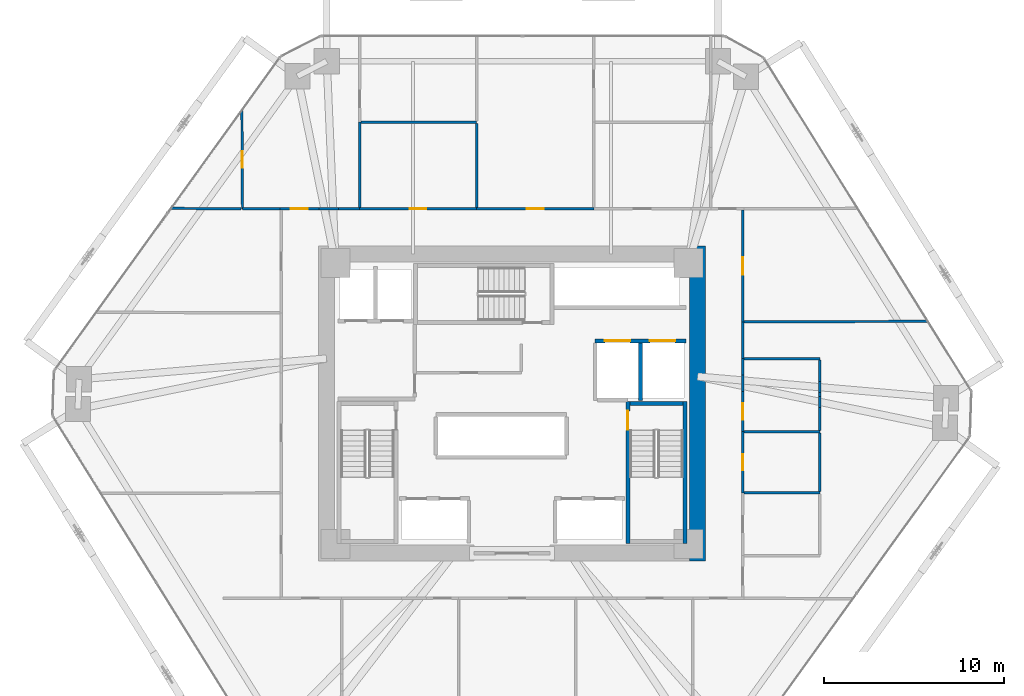
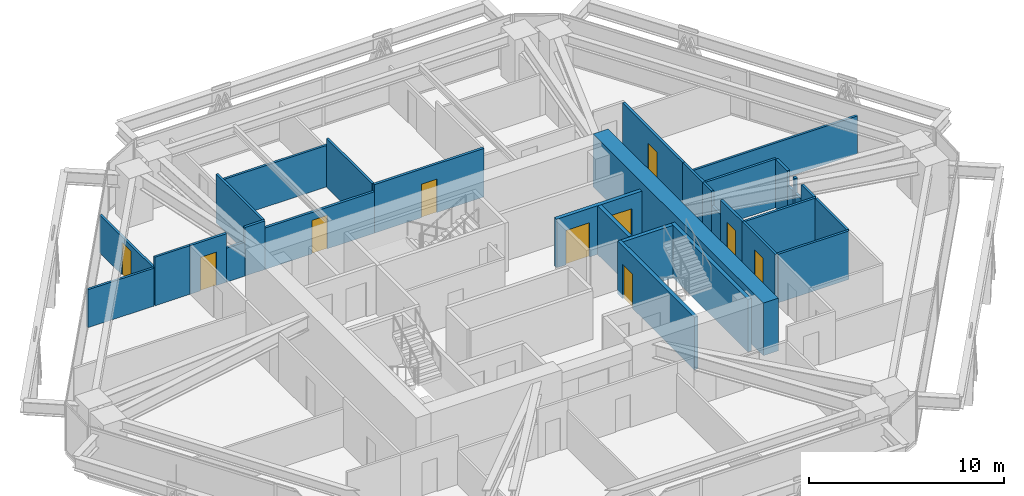
# One storey, part 15 of 17: 33 walls, 10 doors, 10 openings.
"""IFC4 building model written with IfcOpenShell, lengths in metres."""

from ifc_helpers import new_model, si_unit, direction, frame, frame_2d, origin, place, context, subcontext, project, spatial, rectangle, extrude, source, transform, mapped, material, layer, layer_set, type_object, type_shapes, element, fill, save


model = new_model("IFC4")

# Units and contexts
model_context = context("Model", 3, precision=1e-05, world=origin(), true_north=direction((0.0, 1.0)))
body_context = subcontext(model_context, "Body", "Model", "MODEL_VIEW")
ifc_project = project(units=[si_unit("LENGTHUNIT", "METRE"), si_unit("AREAUNIT", "SQUARE_METRE"), si_unit("VOLUMEUNIT", "CUBIC_METRE"), si_unit("PLANEANGLEUNIT", "RADIAN"), si_unit("MASSUNIT", "GRAM", prefix="KILO")], contexts=[model_context])

# Site, building, storey
site_placement = place(None, origin())
site = spatial("IfcSite", under=ifc_project, at=site_placement, CompositionType="ELEMENT")
building_placement = place(site_placement, origin())
building = spatial("IfcBuilding", under=site, at=building_placement, Name="Durnholm Broadcast Tower", CompositionType="ELEMENT")
storey_placement = place(building_placement, frame((0.0, 0.0, 45.60009765625)))
storey = spatial("IfcBuildingStorey", under=building, at=storey_placement, Name="L10", CompositionType="ELEMENT", Elevation=45.60009765625)

# Wall
ifc_material_1 = material(Name="Concrete C70/85", Category="concrete")
ifc_layer_1 = layer(ifc_material_1, 0.89990234375)
ifc_layer_set_1 = layer_set([ifc_layer_1], Name="Concrete C70/85")
wall_type_1 = type_object("IfcWallType", Name="WALL-CW-900", PredefinedType="SHEAR", material=ifc_layer_set_1)
wall_1_placement = place(storey_placement, frame((10.300048828125, -8.75, 0.0), z_axis=(0.0, 0.0, 1.0), x_axis=(0.0, 1.0, 0.0)))
element("IfcWall", 1, at=wall_1_placement, inside=storey, type_object=wall_type_1, Name="L10 central core shear wall CW-EAST", PredefinedType="SHEAR", context=body_context, shape_type="SweptSolid", body=[
    extrude(rectangle(XDim=17.5, YDim=0.89990234375, at=frame_2d((8.75, 0.0))), origin(), (0.0, 0.0, 1.0), 3.2998046875),
])

# Wall, opening, door
ifc_material_2 = material(Name="Gypsum Metal Stud Partition", Category="concrete")
ifc_layer_2 = layer(ifc_material_2, 0.135009765625)
ifc_layer_set_2 = layer_set([ifc_layer_2], Name="Gypsum Metal Stud Partition")
wall_type_2 = type_object("IfcWallType", Name="WALL-PART-135", PredefinedType="PARTITIONING", material=ifc_layer_set_2)
wall_2_placement = place(storey_placement, frame((-14.992431640625, 16.283447265625, 0.0), z_axis=(0.0, 0.0, 1.0), x_axis=(0.005932363604, -0.999982403376, 0.0)))
wall_2 = element("IfcWall", 2, at=wall_2_placement, inside=storey, type_object=wall_type_2, Name="L10 room dividing partition 5.6", PredefinedType="PARTITIONING", context=body_context, shape_type="SweptSolid", body=[
    extrude(rectangle(XDim=5.473388671875, YDim=0.135009765625, at=frame_2d((2.73681640625, 0.0))), origin(), (0.0, 0.0, 1.0), 2.3798828125),
])
opening_1_placement = place(wall_2_placement, frame((2.286865234375, 0.0, 0.0)))
opening_1 = element("IfcOpeningElement", 3, at=opening_1_placement, cuts=wall_2, Name="Opening DW-90L", PredefinedType="OPENING", context=body_context, shape_type="SweptSolid", body=[
    extrude(rectangle(XDim=0.89990234375, YDim=2.050048828125, at=frame_2d((0.449951171875, 1.02490234375))), frame((0.0, 0.07763671875, 0.0), z_axis=(0.0, -1.0, 0.0), x_axis=(1.0, 0.0, 0.0)), (0.0, 0.0, 1.0), 0.155029296875),
])
ifc_material_3 = material(Name="Laminate Restroom Door", Category="steel")
ifc_layer_3 = layer(ifc_material_3, 0.050048828125)
ifc_layer_set_3 = layer_set([ifc_layer_3], Name="Laminate Restroom Door")
door_type_1 = type_object("IfcDoorType", Name="DOOR-WC-900L", OperationType="NOTDEFINED", PredefinedType="DOOR", material=ifc_layer_set_3)
shared_shape_1 = source(origin(), body_context, "Body", "SweptSolid", [
    extrude(rectangle(XDim=0.89990234375, YDim=2.050048828125, at=frame_2d((0.449951171875, 1.02490234375))), frame((0.0, 0.02490234375, 0.0), z_axis=(0.0, -1.0, 0.0), x_axis=(1.0, 0.0, 0.0)), (0.0, 0.0, 1.0), 0.050048828125),
])
type_shapes(door_type_1, [shared_shape_1])
door_1_placement = place(opening_1_placement, origin())
door_1 = element("IfcDoor", 4, at=door_1_placement, inside=storey, type_object=door_type_1, Name="L10 Video Edit Office 1 connecting door", OperationType="SINGLE_SWING_LEFT", OverallHeight=2.050048828125, OverallWidth=0.89990234375, PredefinedType="DOOR", context=body_context, shape_type="MappedRepresentation", body=[
    mapped(shared_shape_1, transform((0.0, 0.0, 0.0), x_axis=(1.0, 0.0, 0.0), y_axis=(0.0, 1.0, 0.0), z_axis=(0.0, 0.0, 1.0), scale=1.0)),
])
fill(opening_1, door_1)

# Walls
wall_3_placement = place(storey_placement, frame((-15.031494140625, 10.810302734375, 0.0), z_axis=(0.0, 0.0, 1.0), x_axis=(-0.999982229424, 0.005961613542, 0.0)))
element("IfcWall", 5, at=wall_3_placement, inside=storey, type_object=wall_type_2, Name="L10 room dividing partition 5.20", PredefinedType="PARTITIONING", context=body_context, shape_type="SweptSolid", body=[
    extrude(rectangle(XDim=3.890380859375, YDim=0.135009765625, at=frame_2d((1.9453125, 0.0))), origin(), (0.0, 0.0, 1.0), 2.3798828125),
])
wall_4_placement = place(storey_placement, frame((-8.4599609375, 15.625, 0.0), z_axis=(0.0, 0.0, 1.0), x_axis=(0.0, -1.0, 0.0)))
element("IfcWall", 6, at=wall_4_placement, inside=storey, type_object=wall_type_2, Name="L10 room dividing partition 6.7", PredefinedType="PARTITIONING", context=body_context, shape_type="SweptSolid", body=[
    extrude(rectangle(XDim=4.736083984375, YDim=0.135009765625, at=frame_2d((2.3681640625, 0.0))), origin(), (0.0, 0.0, 1.0), 3.044921875),
])
wall_5_placement = place(storey_placement, frame((-12.889892578125, 10.81005859375, 0.0), z_axis=(0.0, 0.0, 1.0), x_axis=(-1.0, 0.0, 0.0)))
element("IfcWall", 7, at=wall_5_placement, inside=storey, type_object=wall_type_2, Name="L10 room dividing partition 6.20", PredefinedType="PARTITIONING", context=body_context, shape_type="SweptSolid", body=[
    extrude(rectangle(XDim=2.070068359375, YDim=0.135009765625, at=frame_2d((1.03515625, 0.0))), origin(), (0.0, 0.0, 1.0), 3.044921875),
])
wall_6_placement = place(storey_placement, frame((-8.388427734375, 15.625, 0.0), z_axis=(0.0, 0.0, 1.0), x_axis=(1.0, 0.0, 0.0)))
element("IfcWall", 8, at=wall_6_placement, inside=storey, type_object=wall_type_2, Name="L10 room dividing partition 7.8", PredefinedType="PARTITIONING", context=body_context, shape_type="SweptSolid", body=[
    extrude(rectangle(XDim=6.428466796875, YDim=0.135009765625, at=frame_2d((3.21435546875, 0.0))), origin(), (0.0, 0.0, 1.0), 2.59765625),
])
wall_7_placement = place(storey_placement, frame((-1.9599609375, 15.553466796875, 0.0), z_axis=(0.0, 0.0, 1.0), x_axis=(0.0, -1.0, 0.0)))
element("IfcWall", 9, at=wall_7_placement, inside=storey, type_object=wall_type_2, Name="L10 room dividing partition 7.9", PredefinedType="PARTITIONING", context=body_context, shape_type="SweptSolid", body=[
    extrude(rectangle(XDim=4.66455078125, YDim=0.135009765625, at=frame_2d((2.332275390625, 0.0))), origin(), (0.0, 0.0, 1.0), 3.044921875),
])
wall_8_placement = place(storey_placement, frame((12.888916015625, 4.540283203125, 0.0), z_axis=(0.0, 0.0, 1.0), x_axis=(0.99999792939, 0.002034997821, 0.0)))
element("IfcWall", 10, at=wall_8_placement, inside=storey, type_object=wall_type_2, Name="L10 room dividing partition 21.22", PredefinedType="PARTITIONING", context=body_context, shape_type="SweptSolid", body=[
    extrude(rectangle(XDim=10.197509765625, YDim=0.135009765625, at=frame_2d((5.0986328125, 0.0))), origin(), (0.0, 0.0, 1.0), 2.3798828125),
])
ifc_material_4 = material(Name="Acoustic Gypsum Stud Partition", Category="concrete")
ifc_layer_4 = layer(ifc_material_4, 0.14990234375)
ifc_layer_set_4 = layer_set([ifc_layer_4], Name="Acoustic Gypsum Stud Partition")
wall_type_3 = type_object("IfcWallType", Name="WALL-PART-150", PredefinedType="PARTITIONING", material=ifc_layer_set_4)
wall_9_placement = place(storey_placement, frame((-8.4599609375, 10.81005859375, 0.0), z_axis=(0.0, 0.0, 1.0), x_axis=(-1.0, 0.0, 0.0)))
element("IfcWall", 11, at=wall_9_placement, inside=storey, type_object=wall_type_3, Name="L10 Video Edit Office 2 corridor partition", PredefinedType="PARTITIONING", context=body_context, shape_type="SweptSolid", body=[
    extrude(rectangle(XDim=1.16748046875, YDim=0.14990234375, at=frame_2d((0.583740234375, 0.0))), origin(), (0.0, 0.0, 1.0), 3.044921875),
])

# Wall, opening, door
wall_10_placement = place(storey_placement, frame((-10.719970703125, 10.81005859375, 0.0), z_axis=(0.0, 0.0, 1.0), x_axis=(-1.0, 0.0, 0.0)))
wall_10 = element("IfcWall", 12, at=wall_10_placement, inside=storey, type_object=wall_type_3, Name="L10 Video Edit Office 2 corridor partition", PredefinedType="PARTITIONING", context=body_context, shape_type="SweptSolid", body=[
    extrude(rectangle(XDim=2.169921875, YDim=0.14990234375, at=frame_2d((1.0849609375, 0.0))), origin(), (0.0, 0.0, 1.0), 3.044921875),
])
opening_2_placement = place(wall_10_placement, frame((0.610107421875, 0.0, 0.0)))
opening_2 = element("IfcOpeningElement", 13, at=opening_2_placement, cuts=wall_10, Name="Opening DR-95R", PredefinedType="OPENING", context=body_context, shape_type="SweptSolid", body=[
    extrude(rectangle(XDim=0.949951171875, YDim=2.10009765625, at=frame_2d((0.47509765625, 1.050048828125))), frame((0.0, 0.0849609375, 0.0), z_axis=(0.0, -1.0, 0.0), x_axis=(1.0, 0.0, 0.0)), (0.0, 0.0, 1.0), 0.169921875),
])
ifc_material_5 = material(Name="Acoustic Oak Veneer Timber Door", Category="wood")
ifc_layer_5 = layer(ifc_material_5, 0.050048828125)
ifc_layer_set_5 = layer_set([ifc_layer_5], Name="Acoustic Oak Veneer Timber Door")
door_type_2 = type_object("IfcDoorType", Name="DOOR-RM-950R", OperationType="NOTDEFINED", PredefinedType="DOOR", material=ifc_layer_set_5)
shared_shape_2 = source(origin(), body_context, "Body", "SweptSolid", [
    extrude(rectangle(XDim=0.949951171875, YDim=2.10009765625, at=frame_2d((0.47509765625, 1.050048828125))), frame((0.0, 0.02490234375, 0.0), z_axis=(0.0, -1.0, 0.0), x_axis=(1.0, 0.0, 0.0)), (0.0, 0.0, 1.0), 0.050048828125),
])
type_shapes(door_type_2, [shared_shape_2])
door_2_placement = place(opening_2_placement, origin())
door_2 = element("IfcDoor", 14, at=door_2_placement, inside=storey, type_object=door_type_2, Name="L10 Video Edit Office 2 entrance door", OperationType="SINGLE_SWING_RIGHT", OverallHeight=2.10009765625, OverallWidth=0.949951171875, PredefinedType="DOOR", context=body_context, shape_type="MappedRepresentation", body=[
    mapped(shared_shape_2, transform((0.0, 0.0, 0.0), x_axis=(1.0, 0.0, 0.0), y_axis=(0.0, 1.0, 0.0), z_axis=(0.0, 0.0, 1.0), scale=1.0)),
])
fill(opening_2, door_2)

# Wall
wall_11_placement = place(storey_placement, frame((-9.62744140625, 10.81005859375, 0.0), z_axis=(0.0, 0.0, 1.0), x_axis=(-1.0, 0.0, 0.0)))
element("IfcWall", 15, at=wall_11_placement, inside=storey, type_object=wall_type_3, Name="L10 Video Edit Office 2 corridor partition", PredefinedType="PARTITIONING", context=body_context, shape_type="SweptSolid", body=[
    extrude(rectangle(XDim=1.092529296875, YDim=0.14990234375, at=frame_2d((0.54638671875, 0.0))), origin(), (0.0, 0.0, 1.0), 2.1298828125),
])

# Wall, opening, door
wall_12_placement = place(storey_placement, frame((-1.9599609375, 10.81005859375, 0.0), z_axis=(0.0, 0.0, 1.0), x_axis=(-1.0, 0.0, 0.0)))
wall_12 = element("IfcWall", 16, at=wall_12_placement, inside=storey, type_object=wall_type_3, Name="L10 Color Timing Office corridor partition", PredefinedType="PARTITIONING", context=body_context, shape_type="SweptSolid", body=[
    extrude(rectangle(XDim=6.5, YDim=0.14990234375, at=frame_2d((3.25, 0.0))), origin(), (0.0, 0.0, 1.0), 2.59765625),
])
opening_3_placement = place(wall_12_placement, frame((2.7900390625, 0.0, 0.0)))
opening_3 = element("IfcOpeningElement", 17, at=opening_3_placement, cuts=wall_12, Name="Opening DR-92L", PredefinedType="OPENING", context=body_context, shape_type="SweptSolid", body=[
    extrude(rectangle(XDim=0.919921875, YDim=2.10009765625, at=frame_2d((0.4599609375, 1.050048828125))), frame((0.0, 0.0849609375, 0.0), z_axis=(0.0, -1.0, 0.0), x_axis=(1.0, 0.0, 0.0)), (0.0, 0.0, 1.0), 0.169921875),
])
ifc_material_6 = material(Name="Oak Veneer Office Door", Category="wood")
ifc_layer_6 = layer(ifc_material_6, 0.050048828125)
ifc_layer_set_6 = layer_set([ifc_layer_6], Name="Oak Veneer Office Door")
door_type_3 = type_object("IfcDoorType", Name="DOOR-RM-920L", OperationType="NOTDEFINED", PredefinedType="DOOR", material=ifc_layer_set_6)
shared_shape_3 = source(origin(), body_context, "Body", "SweptSolid", [
    extrude(rectangle(XDim=0.919921875, YDim=2.10009765625, at=frame_2d((0.4599609375, 1.050048828125))), frame((0.0, 0.02490234375, 0.0), z_axis=(0.0, -1.0, 0.0), x_axis=(1.0, 0.0, 0.0)), (0.0, 0.0, 1.0), 0.050048828125),
])
type_shapes(door_type_3, [shared_shape_3])
door_3_placement = place(opening_3_placement, origin())
door_3 = element("IfcDoor", 18, at=door_3_placement, inside=storey, type_object=door_type_3, Name="L10 Color Timing Office entrance door", OperationType="SINGLE_SWING_LEFT", OverallHeight=2.10009765625, OverallWidth=0.919921875, PredefinedType="DOOR", context=body_context, shape_type="MappedRepresentation", body=[
    mapped(shared_shape_3, transform((0.0, 0.0, 0.0), x_axis=(1.0, 0.0, 0.0), y_axis=(0.0, 1.0, 0.0), z_axis=(0.0, 0.0, 1.0), scale=1.0)),
])
fill(opening_3, door_3)

wall_13_placement = place(storey_placement, frame((4.5400390625, 10.81005859375, 0.0), z_axis=(0.0, 0.0, 1.0), x_axis=(-1.0, 0.0, 0.0)))
wall_13 = element("IfcWall", 19, at=wall_13_placement, inside=storey, type_object=wall_type_3, Name="L10 Senior Editor Office corridor partition", PredefinedType="PARTITIONING", context=body_context, shape_type="SweptSolid", body=[
    extrude(rectangle(XDim=6.5, YDim=0.14990234375, at=frame_2d((3.25, 0.0))), origin(), (0.0, 0.0, 1.0), 3.044921875),
])
opening_4_placement = place(wall_13_placement, frame((2.7900390625, 0.0, 0.0)))
opening_4 = element("IfcOpeningElement", 20, at=opening_4_placement, cuts=wall_13, Name="Opening DR-92R", PredefinedType="OPENING", context=body_context, shape_type="SweptSolid", body=[
    extrude(rectangle(XDim=0.919921875, YDim=2.10009765625, at=frame_2d((0.4599609375, 1.050048828125))), frame((0.0, 0.0849609375, 0.0), z_axis=(0.0, -1.0, 0.0), x_axis=(1.0, 0.0, 0.0)), (0.0, 0.0, 1.0), 0.169921875),
])
ifc_layer_7 = layer(ifc_material_6, 0.050048828125)
ifc_layer_set_7 = layer_set([ifc_layer_7], Name="Oak Veneer Office Door")
door_type_4 = type_object("IfcDoorType", Name="DOOR-RM-920R", OperationType="NOTDEFINED", PredefinedType="DOOR", material=ifc_layer_set_7)
shared_shape_4 = source(origin(), body_context, "Body", "SweptSolid", [
    extrude(rectangle(XDim=0.919921875, YDim=2.10009765625, at=frame_2d((0.4599609375, 1.050048828125))), frame((0.0, 0.02490234375, 0.0), z_axis=(0.0, -1.0, 0.0), x_axis=(1.0, 0.0, 0.0)), (0.0, 0.0, 1.0), 0.050048828125),
])
type_shapes(door_type_4, [shared_shape_4])
door_4_placement = place(opening_4_placement, origin())
door_4 = element("IfcDoor", 21, at=door_4_placement, inside=storey, type_object=door_type_4, Name="L10 Senior Editor Office entrance door", OperationType="SINGLE_SWING_RIGHT", OverallHeight=2.10009765625, OverallWidth=0.919921875, PredefinedType="DOOR", context=body_context, shape_type="MappedRepresentation", body=[
    mapped(shared_shape_4, transform((0.0, 0.0, 0.0), x_axis=(1.0, 0.0, 0.0), y_axis=(0.0, 1.0, 0.0), z_axis=(0.0, 0.0, 1.0), scale=1.0)),
])
fill(opening_4, door_4)

# Wall
wall_14_placement = place(storey_placement, frame((12.81005859375, 2.489990234375, 0.0), z_axis=(0.0, 0.0, 1.0), x_axis=(0.0, 1.0, 0.0)))
element("IfcWall", 22, at=wall_14_placement, inside=storey, type_object=wall_type_3, Name="L10 Anchor Prep Office corridor partition", PredefinedType="PARTITIONING", context=body_context, shape_type="SweptSolid", body=[
    extrude(rectangle(XDim=2.050048828125, YDim=0.14990234375, at=frame_2d((1.02490234375, 0.0))), origin(), (0.0, 0.0, 1.0), 3.044921875),
])

# Wall, opening, door
wall_15_placement = place(storey_placement, frame((12.81005859375, 4.5400390625, 0.0), z_axis=(0.0, 0.0, 1.0), x_axis=(0.0, 1.0, 0.0)))
wall_15 = element("IfcWall", 23, at=wall_15_placement, inside=storey, type_object=wall_type_3, Name="L10 Reporter Office 1 corridor partition", PredefinedType="PARTITIONING", context=body_context, shape_type="SweptSolid", body=[
    extrude(rectangle(XDim=6.19091796875, YDim=0.14990234375, at=frame_2d((3.095458984375, 0.0))), origin(), (0.0, 0.0, 1.0), 3.044921875),
])
opening_5_placement = place(wall_15_placement, frame((2.62060546875, 0.0, 0.0)))
opening_5 = element("IfcOpeningElement", 24, at=opening_5_placement, cuts=wall_15, Name="Opening DR-95L", PredefinedType="OPENING", context=body_context, shape_type="SweptSolid", body=[
    extrude(rectangle(XDim=0.949951171875, YDim=2.10009765625, at=frame_2d((0.47509765625, 1.050048828125))), frame((0.0, 0.0849609375, 0.0), z_axis=(0.0, -1.0, 0.0), x_axis=(1.0, 0.0, 0.0)), (0.0, 0.0, 1.0), 0.169921875),
])
ifc_layer_8 = layer(ifc_material_5, 0.050048828125)
ifc_layer_set_8 = layer_set([ifc_layer_8], Name="Acoustic Oak Veneer Timber Door")
door_type_5 = type_object("IfcDoorType", Name="DOOR-RM-950L", OperationType="NOTDEFINED", PredefinedType="DOOR", material=ifc_layer_set_8)
shared_shape_5 = source(origin(), body_context, "Body", "SweptSolid", [
    extrude(rectangle(XDim=0.949951171875, YDim=2.10009765625, at=frame_2d((0.47509765625, 1.050048828125))), frame((0.0, 0.02490234375, 0.0), z_axis=(0.0, -1.0, 0.0), x_axis=(1.0, 0.0, 0.0)), (0.0, 0.0, 1.0), 0.050048828125),
])
type_shapes(door_type_5, [shared_shape_5])
door_5_placement = place(opening_5_placement, origin())
door_5 = element("IfcDoor", 25, at=door_5_placement, inside=storey, type_object=door_type_5, Name="L10 Reporter Office 1 entrance door", OperationType="SINGLE_SWING_LEFT", OverallHeight=2.10009765625, OverallWidth=0.949951171875, PredefinedType="DOOR", context=body_context, shape_type="MappedRepresentation", body=[
    mapped(shared_shape_5, transform((0.0, 0.0, 0.0), x_axis=(1.0, 0.0, 0.0), y_axis=(0.0, 1.0, 0.0), z_axis=(0.0, 0.0, 1.0), scale=1.0)),
])
fill(opening_5, door_5)

# Wall, openings, doors
ifc_material_7 = material(Name="Concrete Blockwork C30/37", Category="masonry")
ifc_layer_9 = layer(ifc_material_7, 0.219970703125)
ifc_layer_set_9 = layer_set([ifc_layer_9], Name="Concrete Blockwork C30/37")
wall_type_4 = type_object("IfcWallType", Name="WALL-SHAFT-220", PredefinedType="SOLIDWALL", material=ifc_layer_set_9)
wall_16_placement = place(storey_placement, frame((4.60009765625, 3.47998046875, 0.0), z_axis=(0.0, 0.0, 1.0), x_axis=(1.0, 0.0, 0.0)))
wall_16 = element("IfcWall", 26, at=wall_16_placement, inside=storey, type_object=wall_type_4, Name="L10 freight service lifts north front wall", PredefinedType="SOLIDWALL", context=body_context, shape_type="SweptSolid", body=[
    extrude(rectangle(XDim=5.0498046875, YDim=0.219970703125, at=frame_2d((2.52490234375, 0.0))), origin(), (0.0, 0.0, 1.0), 3.044921875),
])
opening_6_placement = place(wall_16_placement, frame((0.550048828125, 0.0, 0.0)))
opening_6 = element("IfcOpeningElement", 27, at=opening_6_placement, cuts=wall_16, Name="Opening LD-SVL-2", PredefinedType="OPENING", context=body_context, shape_type="SweptSolid", body=[
    extrude(rectangle(XDim=1.39990234375, YDim=2.14990234375, at=frame_2d((0.699951171875, 1.074951171875))), frame((0.0, 0.1201171875, 0.0), z_axis=(0.0, -1.0, 0.0), x_axis=(1.0, 0.0, 0.0)), (0.0, 0.0, 1.0), 0.239990234375),
])
opening_7_placement = place(wall_16_placement, frame((3.050048828125, 0.0, 0.0)))
opening_7 = element("IfcOpeningElement", 28, at=opening_7_placement, cuts=wall_16, Name="Opening LD-SVL-1", PredefinedType="OPENING", context=body_context, shape_type="SweptSolid", body=[
    extrude(rectangle(XDim=1.39990234375, YDim=2.14990234375, at=frame_2d((0.699951171875, 1.074951171875))), frame((0.0, 0.1201171875, 0.0), z_axis=(0.0, -1.0, 0.0), x_axis=(1.0, 0.0, 0.0)), (0.0, 0.0, 1.0), 0.239990234375),
])
ifc_material_8 = material(Name="Freight Elevator Bi-Parting Sliding Landing Door", Category="steel")
ifc_layer_10 = layer(ifc_material_8, 0.050048828125)
ifc_layer_set_10 = layer_set([ifc_layer_10], Name="Freight Elevator Bi-Parting Sliding Landing Door")
door_type_6 = type_object("IfcDoorType", Name="DOOR-LIFT-SVL", OperationType="DOUBLE_DOOR_SLIDING", PredefinedType="DOOR", material=ifc_layer_set_10)
shared_shape_6 = source(origin(), body_context, "Body", "SweptSolid", [
    extrude(rectangle(XDim=1.39990234375, YDim=2.14990234375, at=frame_2d((0.699951171875, 1.074951171875))), frame((0.0, 0.02490234375, 0.0), z_axis=(0.0, -1.0, 0.0), x_axis=(1.0, 0.0, 0.0)), (0.0, 0.0, 1.0), 0.050048828125),
])
type_shapes(door_type_6, [shared_shape_6])
door_6_placement = place(opening_6_placement, origin())
door_6 = element("IfcDoor", 29, at=door_6_placement, inside=storey, type_object=door_type_6, Name="L10 freight service elevator SVL-2 sliding landing door", OperationType="DOUBLE_DOOR_SLIDING", OverallHeight=2.14990234375, OverallWidth=1.39990234375, PredefinedType="DOOR", context=body_context, shape_type="MappedRepresentation", body=[
    mapped(shared_shape_6, transform((0.0, 0.0, 0.0), x_axis=(1.0, 0.0, 0.0), y_axis=(0.0, 1.0, 0.0), z_axis=(0.0, 0.0, 1.0), scale=1.0)),
])
fill(opening_6, door_6)
door_7_placement = place(opening_7_placement, origin())
door_7 = element("IfcDoor", 30, at=door_7_placement, inside=storey, type_object=door_type_6, Name="L10 freight service elevator SVL-1 sliding landing door", OperationType="DOUBLE_DOOR_SLIDING", OverallHeight=2.14990234375, OverallWidth=1.39990234375, PredefinedType="DOOR", context=body_context, shape_type="MappedRepresentation", body=[
    mapped(shared_shape_6, transform((0.0, 0.0, 0.0), x_axis=(1.0, 0.0, 0.0), y_axis=(0.0, 1.0, 0.0), z_axis=(0.0, 0.0, 1.0), scale=1.0)),
])
fill(opening_7, door_7)

# Walls
wall_17_placement = place(storey_placement, frame((7.1201171875, 0.179931640625, 0.0), z_axis=(0.0, 0.0, 1.0), x_axis=(0.0, 1.0, 0.0)))
element("IfcWall", 31, at=wall_17_placement, inside=storey, type_object=wall_type_4, Name="L10 freight service lifts divider wall", PredefinedType="SOLIDWALL", context=body_context, shape_type="SweptSolid", body=[
    extrude(rectangle(XDim=3.18603515625, YDim=0.219970703125, at=frame_2d((1.593017578125, 0.0))), origin(), (0.0, 0.0, 1.0), 3.044921875),
])
ifc_material_9 = material(Name="Concrete C50/60", Category="concrete")
ifc_layer_11 = layer(ifc_material_9, 0.219970703125)
ifc_layer_set_11 = layer_set([ifc_layer_11], Name="Concrete C50/60")
wall_type_5 = type_object("IfcWallType", Name="WALL-SW-220", PredefinedType="SHEAR", material=ifc_layer_set_11)
wall_18_placement = place(storey_placement, frame((9.610107421875, -7.77001953125, -0.239990234375), z_axis=(0.0, 0.0, 1.0), x_axis=(0.0, 1.0, 0.0)))
element("IfcWall", 32, at=wall_18_placement, inside=storey, type_object=wall_type_5, Name="L10 stair ST-2 structural shaft wall E", PredefinedType="SHEAR", context=body_context, shape_type="SweptSolid", body=[
    extrude(rectangle(XDim=7.89013671875, YDim=0.219970703125, at=frame_2d((3.945068359375, 0.0))), origin(), (0.0, 0.0, 1.0), 3.2998046875),
])

# Wall, opening, door
wall_19_placement = place(storey_placement, frame((6.429931640625, 0.1201171875, -0.239990234375), z_axis=(0.0, 0.0, 1.0), x_axis=(0.0, -1.0, 0.0)))
wall_19 = element("IfcWall", 33, at=wall_19_placement, inside=storey, type_object=wall_type_5, Name="L10 stair ST-2 structural shaft wall W", PredefinedType="SHEAR", context=body_context, shape_type="SweptSolid", body=[
    extrude(rectangle(XDim=7.89013671875, YDim=0.219970703125, at=frame_2d((3.945068359375, 0.0))), origin(), (0.0, 0.0, 1.0), 3.2998046875),
])
opening_8_placement = place(wall_19_placement, frame((0.52001953125, 0.0, 0.0)))
opening_8 = element("IfcOpeningElement", 34, at=opening_8_placement, cuts=wall_19, Name="Opening DS-90R", PredefinedType="OPENING", context=body_context, shape_type="SweptSolid", body=[
    extrude(rectangle(XDim=1.050048828125, YDim=2.14990234375, at=frame_2d((0.52490234375, 1.074951171875))), frame((0.0, 0.1201171875, 0.0), z_axis=(0.0, -1.0, 0.0), x_axis=(1.0, 0.0, 0.0)), (0.0, 0.0, 1.0), 0.239990234375),
])
ifc_material_10 = material(Name="Fire-Rated Steel Door", Category="steel")
ifc_layer_12 = layer(ifc_material_10, 0.050048828125)
ifc_layer_set_12 = layer_set([ifc_layer_12], Name="Fire-Rated Steel Door")
door_type_7 = type_object("IfcDoorType", Name="DOOR-ST-FD90-R", OperationType="NOTDEFINED", PredefinedType="DOOR", material=ifc_layer_set_12)
shared_shape_7 = source(origin(), body_context, "Body", "SweptSolid", [
    extrude(rectangle(XDim=1.050048828125, YDim=2.14990234375, at=frame_2d((0.52490234375, 1.074951171875))), frame((0.0, 0.02490234375, 0.0), z_axis=(0.0, -1.0, 0.0), x_axis=(1.0, 0.0, 0.0)), (0.0, 0.0, 1.0), 0.050048828125),
])
type_shapes(door_type_7, [shared_shape_7])
door_8_placement = place(opening_8_placement, origin())
door_8 = element("IfcDoor", 35, at=door_8_placement, inside=storey, type_object=door_type_7, Name="L10 exit stair ST-2 fire door", OperationType="SINGLE_SWING_RIGHT", OverallHeight=2.14990234375, OverallWidth=1.050048828125, PredefinedType="DOOR", context=body_context, shape_type="MappedRepresentation", body=[
    mapped(shared_shape_7, transform((0.0, 0.0, 0.0), x_axis=(1.0, 0.0, 0.0), y_axis=(0.0, 1.0, 0.0), z_axis=(0.0, 0.0, 1.0), scale=1.0)),
])
fill(opening_8, door_8)

# Wall
wall_20_placement = place(storey_placement, frame((9.5, 0.010009765625, -0.239990234375), z_axis=(0.0, 0.0, 1.0), x_axis=(-1.0, 0.0, 0.0)))
element("IfcWall", 36, at=wall_20_placement, inside=storey, type_object=wall_type_5, Name="L10 stair ST-2 structural shaft wall N", PredefinedType="SHEAR", context=body_context, shape_type="SweptSolid", body=[
    extrude(rectangle(XDim=2.9599609375, YDim=0.219970703125, at=frame_2d((1.47998046875, 0.0))), origin(), (0.0, 0.0, 1.0), 3.2998046875),
])

# Wall, opening, door
ifc_material_11 = material(Name="Moisture-Resistant Tile Partition", Category="concrete")
ifc_layer_13 = layer(ifc_material_11, 0.139892578125)
ifc_layer_set_13 = layer_set([ifc_layer_13], Name="Moisture-Resistant Tile Partition")
wall_type_6 = type_object("IfcWallType", Name="WALL-WC-140", PredefinedType="PARTITIONING", material=ifc_layer_set_13)
wall_21_placement = place(storey_placement, frame((12.81005859375, -4.9599609375, 0.0), z_axis=(0.0, 0.0, 1.0), x_axis=(0.0, 1.0, 0.0)))
wall_21 = element("IfcWall", 37, at=wall_21_placement, inside=storey, type_object=wall_type_6, Name="L10 Women's Restroom corridor partition", PredefinedType="PARTITIONING", context=body_context, shape_type="SweptSolid", body=[
    extrude(rectangle(XDim=3.39990234375, YDim=0.139892578125, at=frame_2d((1.699951171875, 0.0))), origin(), (0.0, 0.0, 1.0), 3.044921875),
])
opening_9_placement = place(wall_21_placement, frame((1.25, 0.0, 0.0)))
opening_9 = element("IfcOpeningElement", 38, at=opening_9_placement, cuts=wall_21, Name="Opening DW-90R", PredefinedType="OPENING", context=body_context, shape_type="SweptSolid", body=[
    extrude(rectangle(XDim=0.89990234375, YDim=2.050048828125, at=frame_2d((0.449951171875, 1.02490234375))), frame((0.0, 0.080078125, 0.0), z_axis=(0.0, -1.0, 0.0), x_axis=(1.0, 0.0, 0.0)), (0.0, 0.0, 1.0), 0.159912109375),
])
ifc_layer_14 = layer(ifc_material_3, 0.050048828125)
ifc_layer_set_14 = layer_set([ifc_layer_14], Name="Laminate Restroom Door")
door_type_8 = type_object("IfcDoorType", Name="DOOR-WC-900R", OperationType="NOTDEFINED", PredefinedType="DOOR", material=ifc_layer_set_14)
shared_shape_8 = source(origin(), body_context, "Body", "SweptSolid", [
    extrude(rectangle(XDim=0.89990234375, YDim=2.050048828125, at=frame_2d((0.449951171875, 1.02490234375))), frame((0.0, 0.02490234375, 0.0), z_axis=(0.0, -1.0, 0.0), x_axis=(1.0, 0.0, 0.0)), (0.0, 0.0, 1.0), 0.050048828125),
])
type_shapes(door_type_8, [shared_shape_8])
door_9_placement = place(opening_9_placement, origin())
door_9 = element("IfcDoor", 39, at=door_9_placement, inside=storey, type_object=door_type_8, Name="L10 Women's Restroom entrance door", OperationType="SINGLE_SWING_RIGHT", OverallHeight=2.050048828125, OverallWidth=0.89990234375, PredefinedType="DOOR", context=body_context, shape_type="MappedRepresentation", body=[
    mapped(shared_shape_8, transform((0.0, 0.0, 0.0), x_axis=(1.0, 0.0, 0.0), y_axis=(0.0, 1.0, 0.0), z_axis=(0.0, 0.0, 1.0), scale=1.0)),
])
fill(opening_9, door_9)

wall_22_placement = place(storey_placement, frame((12.81005859375, -1.56005859375, 0.0), z_axis=(0.0, 0.0, 1.0), x_axis=(0.0, 1.0, 0.0)))
wall_22 = element("IfcWall", 40, at=wall_22_placement, inside=storey, type_object=wall_type_6, Name="L10 Accessible Restroom corridor partition", PredefinedType="PARTITIONING", context=body_context, shape_type="SweptSolid", body=[
    extrude(rectangle(XDim=2.231201171875, YDim=0.139892578125, at=frame_2d((1.11572265625, 0.0))), origin(), (0.0, 0.0, 1.0), 3.044921875),
])
opening_10_placement = place(wall_22_placement, frame((0.66552734375, 0.0, 0.0)))
opening_10 = element("IfcOpeningElement", 41, at=opening_10_placement, cuts=wall_22, Name="Opening DW-90L", PredefinedType="OPENING", context=body_context, shape_type="SweptSolid", body=[
    extrude(rectangle(XDim=0.89990234375, YDim=2.050048828125, at=frame_2d((0.449951171875, 1.02490234375))), frame((0.0, 0.080078125, 0.0), z_axis=(0.0, -1.0, 0.0), x_axis=(1.0, 0.0, 0.0)), (0.0, 0.0, 1.0), 0.159912109375),
])
door_10_placement = place(opening_10_placement, origin())
door_10 = element("IfcDoor", 42, at=door_10_placement, inside=storey, type_object=door_type_1, Name="L10 Accessible Restroom entrance door", OperationType="SINGLE_SWING_LEFT", OverallHeight=2.050048828125, OverallWidth=0.89990234375, PredefinedType="DOOR", context=body_context, shape_type="MappedRepresentation", body=[
    mapped(shared_shape_1, transform((0.0, 0.0, 0.0), x_axis=(1.0, 0.0, 0.0), y_axis=(0.0, 1.0, 0.0), z_axis=(0.0, 0.0, 1.0), scale=1.0)),
])
fill(opening_10, door_10)

# Walls
wall_23_placement = place(storey_placement, frame((12.81005859375, 1.584716796875, 0.0), z_axis=(0.0, 0.0, 1.0), x_axis=(0.0, 1.0, 0.0)))
element("IfcWall", 43, at=wall_23_placement, inside=storey, type_object=wall_type_6, Name="L10 Accessible Restroom corridor partition", PredefinedType="PARTITIONING", context=body_context, shape_type="SweptSolid", body=[
    extrude(rectangle(XDim=0.9052734375, YDim=0.139892578125, at=frame_2d((0.45263671875, 0.0))), origin(), (0.0, 0.0, 1.0), 3.044921875),
])
wall_24_placement = place(storey_placement, frame((12.81005859375, 0.671142578125, 0.0), z_axis=(0.0, 0.0, 1.0), x_axis=(0.0, 1.0, 0.0)))
element("IfcWall", 44, at=wall_24_placement, inside=storey, type_object=wall_type_6, Name="L10 Accessible Restroom corridor partition", PredefinedType="PARTITIONING", context=body_context, shape_type="SweptSolid", body=[
    extrude(rectangle(XDim=0.91357421875, YDim=0.139892578125, at=frame_2d((0.456787109375, 0.0))), origin(), (0.0, 0.0, 1.0), 2.1298828125),
])
for number, where, z_axis, x_axis, name in (
    (45, (12.884033203125, -4.9599609375, 0.0), (0.0, 0.0, 1.0), (1.0, 0.0, 0.0), "L10 room dividing partition 2.3"),
    (46, (12.884033203125, -1.56005859375, 0.0), (0.0, 0.0, 1.0), (1.0, 0.0, 0.0), "L10 room dividing partition 3.4"),
):
    element("IfcWall", number, at=place(storey_placement, frame(where, z_axis=z_axis, x_axis=x_axis)), inside=storey, type_object=wall_type_6, Name=name, PredefinedType="PARTITIONING", context=body_context, shape_type="SweptSolid", body=[
        extrude(rectangle(XDim=4.2060546875, YDim=0.139892578125, at=frame_2d((2.10302734375, 0.0))), origin(), (0.0, 0.0, 1.0), 3.044921875),
    ])
wall_25_placement = place(storey_placement, frame((17.090087890625, -1.634033203125, 0.0), z_axis=(0.0, 0.0, 1.0), x_axis=(0.0, -1.0, 0.0)))
element("IfcWall", 47, at=wall_25_placement, inside=storey, type_object=wall_type_6, Name="L10 room dividing partition 3.21", PredefinedType="PARTITIONING", context=body_context, shape_type="SweptSolid", body=[
    extrude(rectangle(XDim=3.251953125, YDim=0.139892578125, at=frame_2d((1.6259765625, 0.0))), origin(), (0.0, 0.0, 1.0), 3.044921875),
])
wall_26_placement = place(storey_placement, frame((12.888916015625, 2.489990234375, 0.0), z_axis=(0.0, 0.0, 1.0), x_axis=(1.0, 0.0, 0.0)))
element("IfcWall", 48, at=wall_26_placement, inside=storey, type_object=wall_type_6, Name="L10 room dividing partition 4.21", PredefinedType="PARTITIONING", context=body_context, shape_type="SweptSolid", body=[
    extrude(rectangle(XDim=4.201171875, YDim=0.139892578125, at=frame_2d((2.1005859375, 0.0))), origin(), (0.0, 0.0, 1.0), 3.044921875),
])
wall_27_placement = place(storey_placement, frame((17.090087890625, 2.416015625, 0.0), z_axis=(0.0, 0.0, 1.0), x_axis=(0.0, -1.0, 0.0)))
element("IfcWall", 49, at=wall_27_placement, inside=storey, type_object=wall_type_6, Name="L10 room dividing partition 4.21", PredefinedType="PARTITIONING", context=body_context, shape_type="SweptSolid", body=[
    extrude(rectangle(XDim=1.203857421875, YDim=0.139892578125, at=frame_2d((0.60205078125, 0.0))), origin(), (0.0, 0.0, 1.0), 3.044921875),
])
wall_28_placement = place(storey_placement, frame((17.090087890625, 0.60595703125, 0.0), z_axis=(0.0, 0.0, 1.0), x_axis=(0.0, -1.0, 0.0)))
element("IfcWall", 50, at=wall_28_placement, inside=storey, type_object=wall_type_6, Name="L10 room dividing partition 4.21", PredefinedType="PARTITIONING", context=body_context, shape_type="SweptSolid", body=[
    extrude(rectangle(XDim=0.205078125, YDim=0.139892578125, at=frame_2d((0.1025390625, 0.0))), origin(), (0.0, 0.0, 1.0), 3.044921875),
])
wall_29_placement = place(storey_placement, frame((17.090087890625, -0.216064453125, 0.0), z_axis=(0.0, 0.0, 1.0), x_axis=(0.0, -1.0, 0.0)))
element("IfcWall", 51, at=wall_29_placement, inside=storey, type_object=wall_type_6, Name="L10 room dividing partition 4.21", PredefinedType="PARTITIONING", context=body_context, shape_type="SweptSolid", body=[
    extrude(rectangle(XDim=1.27001953125, YDim=0.139892578125, at=frame_2d((0.635009765625, 0.0))), origin(), (0.0, 0.0, 1.0), 3.044921875),
])
wall_30_placement = place(storey_placement, frame((17.090087890625, 1.212158203125, 0.0), z_axis=(0.0, 0.0, 1.0), x_axis=(0.0, -1.0, 0.0)))
element("IfcWall", 52, at=wall_30_placement, inside=storey, type_object=wall_type_6, Name="L10 room dividing partition 4.21", PredefinedType="PARTITIONING", context=body_context, shape_type="SweptSolid", body=[
    extrude(rectangle(XDim=0.606201171875, YDim=0.139892578125, at=frame_2d((0.30322265625, 0.0))), origin(), (0.0, 0.0, 1.0), 2.1298828125),
])
wall_31_placement = place(storey_placement, frame((17.090087890625, 0.40087890625, 0.0), z_axis=(0.0, 0.0, 1.0), x_axis=(0.0, -1.0, 0.0)))
element("IfcWall", 53, at=wall_31_placement, inside=storey, type_object=wall_type_6, Name="L10 room dividing partition 4.21", PredefinedType="PARTITIONING", context=body_context, shape_type="SweptSolid", body=[
    extrude(rectangle(XDim=0.616943359375, YDim=0.139892578125, at=frame_2d((0.30859375, 0.0))), origin(), (0.0, 0.0, 1.0), 2.1298828125),
])

save(model, "model.ifc")
